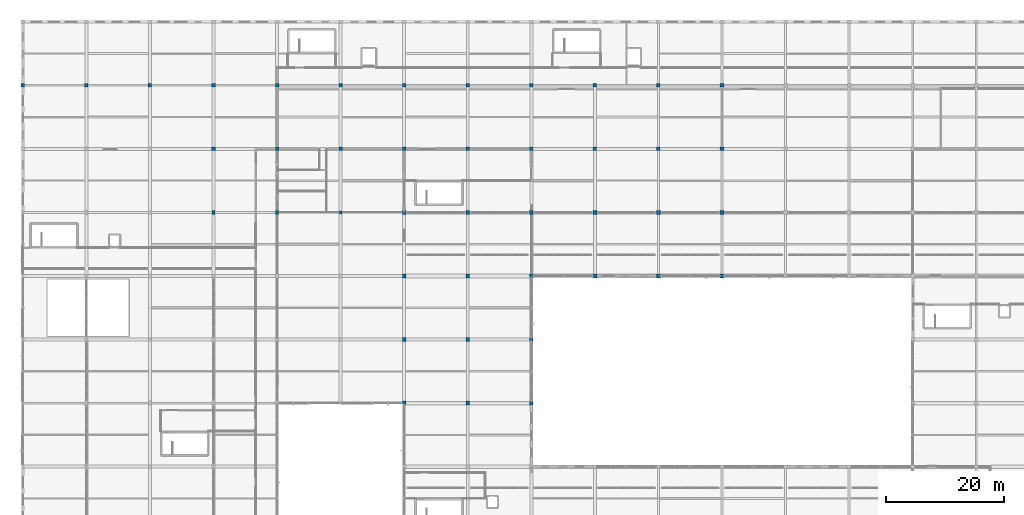
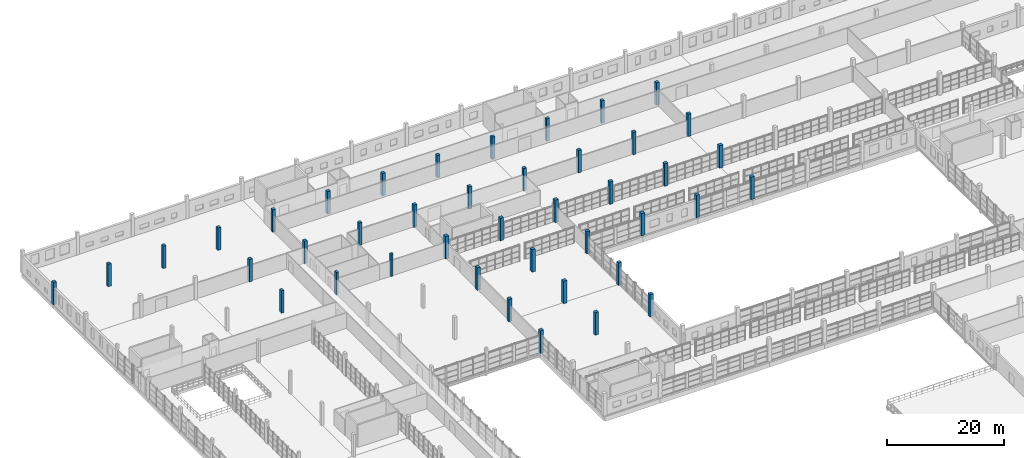
# One storey, part 2 of 142: 42 columns.
"""IFC4 building model written with IfcOpenShell, lengths in metres."""

from ifc_helpers import new_model, si_unit, direction, frame, origin, origin_2d, place, context, subcontext, project, spatial, rectangle, extrude, material, material_profile, profile_set, type_object, element, save


model = new_model("IFC4")

# Units and contexts
model_context = context("Model", 3, precision=1e-05, world=origin(), true_north=direction((0.0, 1.0)))
body_context = subcontext(model_context, "Body", "Model", "MODEL_VIEW")
ifc_project = project(units=[si_unit("LENGTHUNIT", "METRE"), si_unit("AREAUNIT", "SQUARE_METRE"), si_unit("VOLUMEUNIT", "CUBIC_METRE"), si_unit("PLANEANGLEUNIT", "RADIAN"), si_unit("MASSUNIT", "GRAM", prefix="KILO")], contexts=[model_context])

# Site, building, storey
site_placement = place(None, origin())
site = spatial("IfcSite", under=ifc_project, at=site_placement, CompositionType="ELEMENT")
building_placement = place(site_placement, origin())
building = spatial("IfcBuilding", under=site, at=building_placement, Name="Zwinboog Wholesale Market", CompositionType="ELEMENT")
storey_placement = place(building_placement, frame((0.0, 0.0, 5.39990234375)))
storey = spatial("IfcBuildingStorey", under=building, at=storey_placement, Name="L01", CompositionType="ELEMENT", Elevation=5.39990234375)

# Columns
ifc_material = material(Name="Precast concrete C45/55", Category="concrete")
ifc_material_profile_1 = material_profile(ifc_material, rectangle(XDim=0.64990234375, YDim=0.64990234375, at=origin_2d()), Name="PC 650x650")
ifc_profile_set_1 = profile_set([ifc_material_profile_1], Name="Precast concrete C45/55")
column_type_1 = type_object("IfcColumnType", Name="CT-03", PredefinedType="COLUMN", material=ifc_profile_set_1)
for number, where, z_axis, x_axis, name in (
    (1, (64.800048828125, 64.800048828125, 0.0), (0.0, 0.0, 1.0), (1.0, 0.0, 0.0), "C-03 (COL-L01-0154)"),
    (2, (64.800048828125, 75.60009765625, 0.0), (0.0, 0.0, 1.0), (1.0, 0.0, 0.0), "C-03 (COL-L01-0156)"),
    (3, (64.800048828125, 86.39990234375, 0.0), (0.0, 0.0, 1.0), (1.0, 0.0, 0.0), "C-03 (COL-L01-0158)"),
    (4, (64.800048828125, 97.199951171875, 0.0), (0.0, 0.0, 1.0), (1.0, 0.0, 0.0), "C-03 (COL-L01-0160)"),
    (5, (75.60009765625, 64.800048828125, 0.0), (0.0, 0.0, 1.0), (1.0, 0.0, 0.0), "C-03 (COL-L01-0173)"),
    (6, (75.60009765625, 75.60009765625, 0.0), (0.0, 0.0, 1.0), (1.0, 0.0, 0.0), "C-03 (COL-L01-0175)"),
    (7, (75.60009765625, 86.39990234375, 0.0), (0.0, 0.0, 1.0), (1.0, 0.0, 0.0), "C-03 (COL-L01-0177)"),
    (8, (75.60009765625, 97.199951171875, 0.0), (0.0, 0.0, 1.0), (1.0, 0.0, 0.0), "C-03 (COL-L01-0179)"),
    (9, (86.39990234375, 64.800048828125, 0.0), (0.0, 0.0, 1.0), (1.0, 0.0, 0.0), "C-03 (COL-L01-0192)"),
    (10, (86.39990234375, 75.60009765625, 0.0), (0.0, 0.0, 1.0), (1.0, 0.0, 0.0), "C-03 (COL-L01-0194)"),
    (11, (86.39990234375, 86.39990234375, 0.0), (0.0, 0.0, 1.0), (1.0, 0.0, 0.0), "C-03 (COL-L01-0196)"),
    (12, (86.39990234375, 97.199951171875, 0.0), (0.0, 0.0, 1.0), (1.0, 0.0, 0.0), "C-03 (COL-L01-0198)"),
    (13, (97.199951171875, 86.39990234375, 0.0), (0.0, 0.0, 1.0), (1.0, 0.0, 0.0), "C-03 (COL-L01-0213)"),
    (14, (97.199951171875, 97.199951171875, 0.0), (0.0, 0.0, 1.0), (1.0, 0.0, 0.0), "C-03 (COL-L01-0215)"),
    (15, (108.0, 86.39990234375, 0.0), (0.0, 0.0, 1.0), (1.0, 0.0, 0.0), "C-03 (COL-L01-0233)"),
    (16, (108.0, 97.199951171875, 0.0), (0.0, 0.0, 1.0), (1.0, 0.0, 0.0), "C-03 (COL-L01-0235)"),
    (17, (118.800048828125, 86.39990234375, 0.0), (0.0, 0.0, 1.0), (1.0, 0.0, 0.0), "C-03 (COL-L01-0252)"),
    (18, (118.800048828125, 97.199951171875, 0.0), (0.0, 0.0, 1.0), (1.0, 0.0, 0.0), "C-03 (COL-L01-0254)"),
):
    element("IfcColumn", number, at=place(storey_placement, frame(where, z_axis=z_axis, x_axis=x_axis)), inside=storey, type_object=column_type_1, Name=name, PredefinedType="COLUMN", context=body_context, shape_type="SweptSolid", body=[
        extrude(rectangle(XDim=0.64990234375, YDim=0.64990234375, at=origin_2d()), origin(), (0.0, 0.0, 1.0), 4.68017578125),
    ])
ifc_material_profile_2 = material_profile(ifc_material, rectangle(XDim=0.60009765625, YDim=0.60009765625, at=origin_2d()), Name="PC 600x600")
ifc_profile_set_2 = profile_set([ifc_material_profile_2], Name="Precast concrete C45/55")
column_type_2 = type_object("IfcColumnType", Name="CT-04", PredefinedType="COLUMN", material=ifc_profile_set_2)
for number, where, z_axis, x_axis, name in (
    (19, (0.0, 118.800048828125, 0.0), (0.0, 0.0, 1.0), (1.0, 0.0, 0.0), "C-04 (COL-L01-0024)"),
    (20, (10.800048828125, 118.800048828125, 0.0), (0.0, 0.0, 1.0), (1.0, 0.0, 0.0), "C-04 (COL-L01-0050)"),
    (21, (21.60009765625, 118.800048828125, 0.0), (0.0, 0.0, 1.0), (1.0, 0.0, 0.0), "C-04 (COL-L01-0076)"),
    (22, (32.39990234375, 108.0, 0.0), (0.0, 0.0, 1.0), (1.0, 0.0, 0.0), "C-04 (COL-L01-0100)"),
    (23, (32.39990234375, 118.800048828125, 0.0), (0.0, 0.0, 1.0), (1.0, 0.0, 0.0), "C-04 (COL-L01-0102)"),
    (24, (43.199951171875, 108.0, 0.0), (0.0, 0.0, 1.0), (1.0, 0.0, 0.0), "C-04 (COL-L01-0126)"),
    (25, (43.199951171875, 118.800048828125, 0.0), (0.0, 0.0, 1.0), (1.0, 0.0, 0.0), "C-04 (COL-L01-0128)"),
    (26, (54.0, 108.0, 0.0), (0.0, 0.0, 1.0), (1.0, 0.0, 0.0), "C-04 (COL-L01-0143)"),
    (27, (54.0, 118.800048828125, 0.0), (0.0, 0.0, 1.0), (1.0, 0.0, 0.0), "C-04 (COL-L01-0145)"),
    (28, (64.800048828125, 108.0, 0.0), (0.0, 0.0, 1.0), (1.0, 0.0, 0.0), "C-04 (COL-L01-0162)"),
    (29, (64.800048828125, 118.800048828125, 0.0), (0.0, 0.0, 1.0), (1.0, 0.0, 0.0), "C-04 (COL-L01-0164)"),
    (30, (75.60009765625, 108.0, 0.0), (0.0, 0.0, 1.0), (1.0, 0.0, 0.0), "C-04 (COL-L01-0181)"),
    (31, (75.60009765625, 118.800048828125, 0.0), (0.0, 0.0, 1.0), (1.0, 0.0, 0.0), "C-04 (COL-L01-0183)"),
    (32, (86.39990234375, 108.0, 0.0), (0.0, 0.0, 1.0), (1.0, 0.0, 0.0), "C-04 (COL-L01-0200)"),
    (33, (86.39990234375, 118.800048828125, 0.0), (0.0, 0.0, 1.0), (1.0, 0.0, 0.0), "C-04 (COL-L01-0202)"),
    (34, (97.199951171875, 108.0, 0.0), (0.0, 0.0, 1.0), (1.0, 0.0, 0.0), "C-04 (COL-L01-0217)"),
    (35, (97.199951171875, 118.800048828125, 0.0), (0.0, 0.0, 1.0), (1.0, 0.0, 0.0), "C-04 (COL-L01-0219)"),
    (36, (108.0, 108.0, 0.0), (0.0, 0.0, 1.0), (1.0, 0.0, 0.0), "C-04 (COL-L01-0237)"),
    (37, (108.0, 118.800048828125, 0.0), (0.0, 0.0, 1.0), (1.0, 0.0, 0.0), "C-04 (COL-L01-0239)"),
    (38, (118.800048828125, 108.0, 0.0), (0.0, 0.0, 1.0), (1.0, 0.0, 0.0), "C-04 (COL-L01-0256)"),
    (39, (118.800048828125, 118.800048828125, 0.0), (0.0, 0.0, 1.0), (1.0, 0.0, 0.0), "C-04 (COL-L01-0258)"),
):
    element("IfcColumn", number, at=place(storey_placement, frame(where, z_axis=z_axis, x_axis=x_axis)), inside=storey, type_object=column_type_2, Name=name, PredefinedType="COLUMN", context=body_context, shape_type="SweptSolid", body=[
        extrude(rectangle(XDim=0.60009765625, YDim=0.60009765625, at=origin_2d()), origin(), (0.0, 0.0, 1.0), 4.68017578125),
    ])
ifc_material_profile_3 = material_profile(ifc_material, rectangle(XDim=0.449951171875, YDim=0.64990234375, at=origin_2d()), Name="PC 450x650")
ifc_profile_set_3 = profile_set([ifc_material_profile_3], Name="Precast concrete C45/55")
column_type_3 = type_object("IfcColumnType", Name="CT-07", PredefinedType="COLUMN", material=ifc_profile_set_3)
for number, where, z_axis, x_axis, name in (
    (40, (32.39990234375, 97.199951171875, 0.0), (0.0, 0.0, 1.0), (1.0, 0.0, 0.0), "C-07 (COL-L01-0098)"),
    (41, (43.199951171875, 97.199951171875, 0.0), (0.0, 0.0, 1.0), (1.0, 0.0, 0.0), "C-07 (COL-L01-0124)"),
):
    element("IfcColumn", number, at=place(storey_placement, frame(where, z_axis=z_axis, x_axis=x_axis)), inside=storey, type_object=column_type_3, Name=name, PredefinedType="COLUMN", context=body_context, shape_type="SweptSolid", body=[
        extrude(rectangle(XDim=0.449951171875, YDim=0.64990234375, at=origin_2d()), origin(), (0.0, 0.0, 1.0), 4.68017578125),
    ])
ifc_material_profile_4 = material_profile(ifc_material, rectangle(XDim=0.449951171875, YDim=0.449951171875, at=origin_2d()), Name="PC 450x450")
ifc_profile_set_4 = profile_set([ifc_material_profile_4], Name="Precast concrete C45/55")
column_type_4 = type_object("IfcColumnType", Name="CT-08", PredefinedType="COLUMN", material=ifc_profile_set_4)
column_placement = place(storey_placement, frame((54.0, 97.199951171875, 0.0), z_axis=(0.0, 0.0, 1.0), x_axis=(1.0, 0.0, 0.0)))
element("IfcColumn", 42, at=column_placement, inside=storey, type_object=column_type_4, Name="C-08 (COL-L01-0141)", PredefinedType="COLUMN", context=body_context, shape_type="SweptSolid", body=[
    extrude(rectangle(XDim=0.449951171875, YDim=0.449951171875, at=origin_2d()), origin(), (0.0, 0.0, 1.0), 4.68017578125),
])

save(model, "model.ifc")
